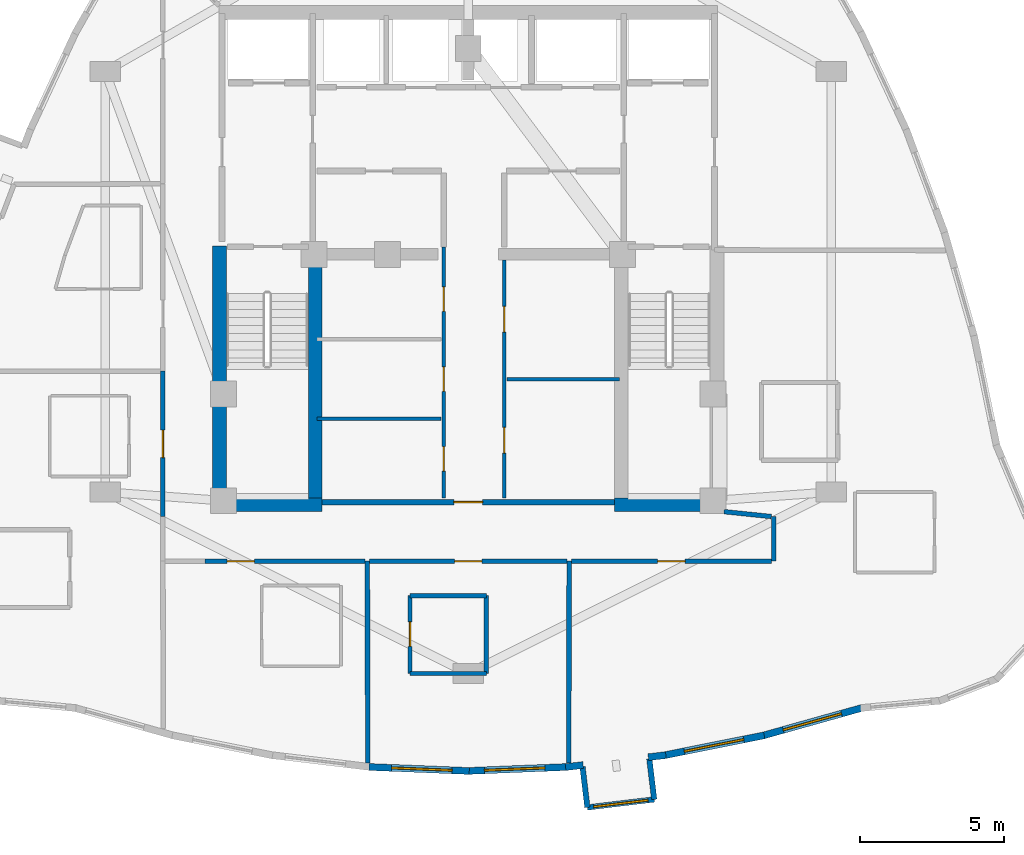
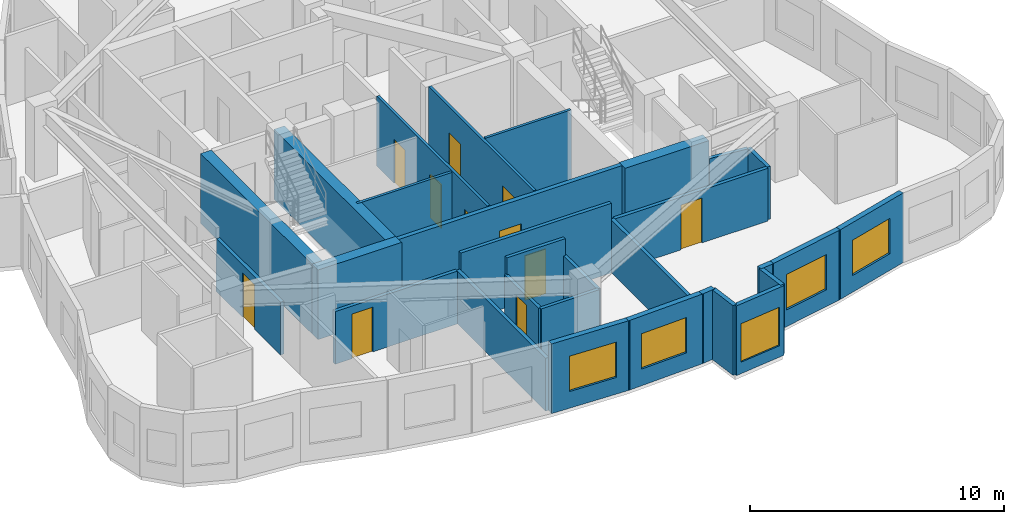
# One storey, part 4 of 9: 30 walls, 11 doors, 5 windows, 16 openings.
"""IFC4 building model written with IfcOpenShell, lengths in metres."""

from ifc_helpers import new_model, si_unit, direction, frame, frame_2d, origin, place, context, subcontext, project, spatial, rectangle, extrude, material, layer, layer_set, type_object, element, fill, save


model = new_model("IFC4")

# Units and contexts
model_context = context("Model", 3, precision=1e-05, world=origin(), true_north=direction((0.0, 1.0)))
body_context = subcontext(model_context, "Body", "Model", "MODEL_VIEW")
ifc_project = project(units=[si_unit("LENGTHUNIT", "METRE"), si_unit("AREAUNIT", "SQUARE_METRE"), si_unit("VOLUMEUNIT", "CUBIC_METRE"), si_unit("PLANEANGLEUNIT", "RADIAN"), si_unit("MASSUNIT", "GRAM", prefix="KILO")], contexts=[model_context])

# Site, building, storey
site_placement = place(None, origin())
site = spatial("IfcSite", under=ifc_project, at=site_placement, CompositionType="ELEMENT")
building_placement = place(site_placement, origin())
building = spatial("IfcBuilding", under=site, at=building_placement, Name="Miruveldt Soraemaru", CompositionType="ELEMENT")
storey_placement = place(building_placement, frame((0.0, 0.0, 241.199951171875)))
storey = spatial("IfcBuildingStorey", under=building, at=storey_placement, Name="L66", CompositionType="ELEMENT", Elevation=241.199951171875)

# Walls
ifc_material_1 = material(Name="White powder-coated aluminium EN AW-6060 T6", Category="aluminium")
ifc_layer_1 = layer(ifc_material_1, 0.18994140625, Name="White powder-coated aluminium EN AW-6060 T6", Category="aluminium")
ifc_layer_set_1 = layer_set([ifc_layer_1], Name="White powder-coated aluminium EN AW-6060 T6")
wall_type_1 = type_object("IfcWallType", Name="WALL-BAY-ALU190", PredefinedType="SOLIDWALL", material=ifc_layer_set_1)
for number, where, z_axis, x_axis, name in (
    (1, (47.965576171875, 26.26708984375, 0.0), (0.0, 0.0, 1.0), (0.119077659317, -0.992884943511, 0.0), "L66 Bay Window Side Cheek 2L"),
    (2, (50.455810546875, 25.130859375, 0.0), (0.0, 0.0, 1.0), (-0.119246559468, 0.992864672579, 0.0), "L66 Bay Window Side Cheek 2R"),
):
    element("IfcWall", number, at=place(storey_placement, frame(where, z_axis=z_axis, x_axis=x_axis)), inside=storey, type_object=wall_type_1, Name=name, PredefinedType="SOLIDWALL", context=body_context, shape_type="SweptSolid", body=[
        extrude(rectangle(XDim=1.425048828125, YDim=0.18994140625, at=frame_2d((0.71240234375, 0.0))), origin(), (0.0, 0.0, 1.0), 3.344970703125),
    ])

# Wall, opening, window
wall_1_placement = place(storey_placement, frame((48.13525390625, 24.852294921875, 0.0), z_axis=(0.0, 0.0, 1.0), x_axis=(0.992871894832, 0.119186410521, 0.0)))
wall_1 = element("IfcWall", 3, at=wall_1_placement, inside=storey, type_object=wall_type_1, Name="L66 Bay Window Front Frame 2", PredefinedType="SOLIDWALL", context=body_context, shape_type="SweptSolid", body=[
    extrude(rectangle(XDim=2.337158203125, YDim=0.18994140625, at=frame_2d((1.16845703125, 0.0))), origin(), (0.0, 0.0, 1.0), 3.344970703125),
])
opening_1_placement = place(wall_1_placement, frame((0.218994140625, 0.0, 0.550048828125)))
opening_1 = element("IfcOpeningElement", 4, at=opening_1_placement, cuts=wall_1, Name="Opening WN-6", PredefinedType="OPENING", context=body_context, shape_type="SweptSolid", body=[
    extrude(rectangle(XDim=1.89990234375, YDim=1.85009765625, at=frame_2d((0.949951171875, 0.925048828125))), frame((0.0, 0.10498046875, 0.0), z_axis=(0.0, -1.0, 0.0), x_axis=(1.0, 0.0, 0.0)), (0.0, 0.0, 1.0), 0.2099609375),
])
ifc_material_2 = material(Name="Triple low-e insulated glazing", Category="glass")
window_type_1 = type_object("IfcWindowType", Name="WIN-BAYW-1900x1850", PartitioningType="SINGLE_PANEL", PredefinedType="WINDOW", material=ifc_material_2)
window_1_placement = place(opening_1_placement, origin())
window_1 = element("IfcWindow", 5, at=window_1_placement, inside=storey, type_object=window_type_1, Name="L66 Projecting Bay Window 2", OverallHeight=1.85009765625, OverallWidth=1.89990234375, PartitioningType="SINGLE_PANEL", PredefinedType="WINDOW", context=body_context, shape_type="SweptSolid", body=[
    extrude(rectangle(XDim=1.89990234375, YDim=1.85009765625, at=frame_2d((0.949951171875, 0.925048828125))), frame((0.0, 0.030029296875, 0.0), z_axis=(0.0, -1.0, 0.0), x_axis=(1.0, 0.0, 0.0)), (0.0, 0.0, 1.0), 0.06005859375),
])
fill(opening_1, window_1)

# Walls
ifc_material_3 = material(Name="Concrete C60/75 (60 MPa)", Category="concrete")
ifc_layer_2 = layer(ifc_material_3, 0.47998046875, Name="Concrete C60/75 (60 MPa)", Category="concrete")
ifc_layer_set_2 = layer_set([ifc_layer_2], Name="Concrete C60/75 (60 MPa)")
wall_type_2 = type_object("IfcWallType", Name="WALL-CW-480", PredefinedType="SHEAR", material=ifc_layer_set_2)
for number, where, z_axis, x_axis, name in (
    (6, (35.1201171875, 35.360107421875, 0.0), (0.0, 0.0, 1.0), (1.0, 0.0, 0.0), "L66 Central Core Shear Wall S1"),
    (7, (49.070068359375, 35.360107421875, 0.0), (0.0, 0.0, 1.0), (1.0, 0.0, 0.0), "L66 Central Core Shear Wall S2"),
):
    element("IfcWall", number, at=place(storey_placement, frame(where, z_axis=z_axis, x_axis=x_axis)), inside=storey, type_object=wall_type_2, Name=name, PredefinedType="SHEAR", context=body_context, shape_type="SweptSolid", body=[
        extrude(rectangle(XDim=3.809814453125, YDim=0.47998046875, at=frame_2d((1.90478515625, 0.0))), origin(), (0.0, 0.0, 1.0), 3.344970703125),
    ])
wall_2_placement = place(storey_placement, frame((35.360107421875, 35.1201171875, 0.0), z_axis=(0.0, 0.0, 1.0), x_axis=(0.0, 1.0, 0.0)))
element("IfcWall", 8, at=wall_2_placement, inside=storey, type_object=wall_type_2, Name="L66 Central Core Shear Wall W1", PredefinedType="SHEAR", context=body_context, shape_type="SweptSolid", body=[
    extrude(rectangle(XDim=9.22998046875, YDim=0.47998046875, at=frame_2d((4.614990234375, 0.0))), origin(), (0.0, 0.0, 1.0), 3.344970703125),
])
wall_3_placement = place(storey_placement, frame((38.68994140625, 35.39990234375, 0.0), z_axis=(0.0, 0.0, 1.0), x_axis=(0.0, 1.0, 0.0)))
element("IfcWall", 9, at=wall_3_placement, inside=storey, type_object=wall_type_2, Name="L66 Central Core Shear Wall SW-INT", PredefinedType="SHEAR", context=body_context, shape_type="SweptSolid", body=[
    extrude(rectangle(XDim=8.9501953125, YDim=0.47998046875, at=frame_2d((4.47509765625, 0.0))), origin(), (0.0, 0.0, 1.0), 3.344970703125),
])

# Wall, opening, window
ifc_material_4 = material(Name="Precast concrete C45/55 (45 MPa)", Category="concrete")
ifc_layer_3 = layer(ifc_material_4, 0.239990234375, Name="Precast concrete C45/55 (45 MPa)", Category="concrete")
ifc_layer_set_3 = layer_set([ifc_layer_3], Name="Precast concrete C45/55 (45 MPa)")
wall_type_3 = type_object("IfcWallType", Name="WALL-EXT-PC240", PredefinedType="SOLIDWALL", material=ifc_layer_set_3)
wall_4_placement = place(storey_placement, frame((40.55224609375, 26.2578125, 0.0), z_axis=(0.0, 0.0, 1.0), x_axis=(0.999199839392, -0.039996011798, 0.0)))
wall_4 = element("IfcWall", 10, at=wall_4_placement, inside=storey, type_object=wall_type_3, Name="L66 Precast Concrete Facade Wall 24", PredefinedType="SOLIDWALL", context=body_context, shape_type="SweptSolid", body=[
    extrude(rectangle(XDim=3.4853515625, YDim=0.239990234375, at=frame_2d((1.74267578125, 0.0))), origin(), (0.0, 0.0, 1.0), 3.344970703125),
])
opening_2_placement = place(wall_4_placement, frame((0.787109375, 0.0, 0.800048828125)))
opening_2 = element("IfcOpeningElement", 11, at=opening_2_placement, cuts=wall_4, Name="Opening WN-1", PredefinedType="OPENING", context=body_context, shape_type="SweptSolid", body=[
    extrude(rectangle(XDim=2.10009765625, YDim=1.699951171875, at=frame_2d((1.050048828125, 0.85009765625))), frame((0.0, 0.1298828125, 0.0), z_axis=(0.0, -1.0, 0.0), x_axis=(1.0, 0.0, 0.0)), (0.0, 0.0, 1.0), 0.260009765625),
])
window_type_2 = type_object("IfcWindowType", Name="WIN-PUNCH-2100x1700", PartitioningType="SINGLE_PANEL", PredefinedType="WINDOW", material=ifc_material_2)
window_2_placement = place(opening_2_placement, origin())
window_2 = element("IfcWindow", 12, at=window_2_placement, inside=storey, type_object=window_type_2, Name="L66 Punched Triple-Glazed Window 24.1", OverallHeight=1.699951171875, OverallWidth=2.10009765625, PartitioningType="SINGLE_PANEL", PredefinedType="WINDOW", context=body_context, shape_type="SweptSolid", body=[
    extrude(rectangle(XDim=2.10009765625, YDim=1.699951171875, at=frame_2d((1.050048828125, 0.85009765625))), frame((0.0, 0.030029296875, 0.0), z_axis=(0.0, -1.0, 0.0), x_axis=(1.0, 0.0, 0.0)), (0.0, 0.0, 1.0), 0.06005859375),
])
fill(opening_2, window_2)

wall_5_placement = place(storey_placement, frame((43.965087890625, 26.118408203125, 0.0), z_axis=(0.0, 0.0, 1.0), x_axis=(0.999199839392, 0.039996011798, 0.0)))
wall_5 = element("IfcWall", 13, at=wall_5_placement, inside=storey, type_object=wall_type_3, Name="L66 Precast Concrete Facade Wall 25", PredefinedType="SOLIDWALL", context=body_context, shape_type="SweptSolid", body=[
    extrude(rectangle(XDim=3.4853515625, YDim=0.239990234375, at=frame_2d((1.74267578125, 0.0))), origin(), (0.0, 0.0, 1.0), 3.344970703125),
])
opening_3_placement = place(wall_5_placement, frame((0.59912109375, 0.0, 0.800048828125)))
opening_3 = element("IfcOpeningElement", 14, at=opening_3_placement, cuts=wall_5, Name="Opening WN-1", PredefinedType="OPENING", context=body_context, shape_type="SweptSolid", body=[
    extrude(rectangle(XDim=2.10009765625, YDim=1.699951171875, at=frame_2d((1.050048828125, 0.85009765625))), frame((0.0, 0.1298828125, 0.0), z_axis=(0.0, -1.0, 0.0), x_axis=(1.0, 0.0, 0.0)), (0.0, 0.0, 1.0), 0.260009765625),
])
window_3_placement = place(opening_3_placement, origin())
window_3 = element("IfcWindow", 15, at=window_3_placement, inside=storey, type_object=window_type_2, Name="L66 Punched Triple-Glazed Window 25.1", OverallHeight=1.699951171875, OverallWidth=2.10009765625, PartitioningType="SINGLE_PANEL", PredefinedType="WINDOW", context=body_context, shape_type="SweptSolid", body=[
    extrude(rectangle(XDim=2.10009765625, YDim=1.699951171875, at=frame_2d((1.050048828125, 0.85009765625))), frame((0.0, 0.030029296875, 0.0), z_axis=(0.0, -1.0, 0.0), x_axis=(1.0, 0.0, 0.0)), (0.0, 0.0, 1.0), 0.06005859375),
])
fill(opening_3, window_3)

# Walls
for number, where, z_axis, x_axis, name in (
    (16, (47.3779296875, 26.252197265625, 0.0), (0.0, 0.0, 1.0), (0.992888100735, 0.119051331023, 0.0), "L66 Precast Pier Wall 26A"),
    (17, (50.24951171875, 26.5966796875, 0.0), (0.0, 0.0, 1.0), (0.992888100735, 0.119051331023, 0.0), "L66 Precast Pier Wall 26B"),
):
    element("IfcWall", number, at=place(storey_placement, frame(where, z_axis=z_axis, x_axis=x_axis)), inside=storey, type_object=wall_type_3, Name=name, PredefinedType="SOLIDWALL", context=body_context, shape_type="SweptSolid", body=[
        extrude(rectangle(XDim=0.615234375, YDim=0.239990234375, at=frame_2d((0.3076171875, 0.0))), origin(), (0.0, 0.0, 1.0), 3.344970703125),
    ])

# Wall, opening, window
wall_6_placement = place(storey_placement, frame((50.791259765625, 26.658935546875, 0.0), z_axis=(0.0, 0.0, 1.0), x_axis=(0.980580675691, 0.196116135138, 0.0)))
wall_6 = element("IfcWall", 18, at=wall_6_placement, inside=storey, type_object=wall_type_3, Name="L66 Precast Concrete Facade Wall 27", PredefinedType="SOLIDWALL", context=body_context, shape_type="SweptSolid", body=[
    extrude(rectangle(XDim=3.55029296875, YDim=0.239990234375, at=frame_2d((1.775146484375, 0.0))), origin(), (0.0, 0.0, 1.0), 3.344970703125),
])
opening_4_placement = place(wall_6_placement, frame((0.72509765625, 0.0, 0.800048828125)))
opening_4 = element("IfcOpeningElement", 19, at=opening_4_placement, cuts=wall_6, Name="Opening WN-1", PredefinedType="OPENING", context=body_context, shape_type="SweptSolid", body=[
    extrude(rectangle(XDim=2.10009765625, YDim=1.699951171875, at=frame_2d((1.050048828125, 0.85009765625))), frame((0.0, 0.1298828125, 0.0), z_axis=(0.0, -1.0, 0.0), x_axis=(1.0, 0.0, 0.0)), (0.0, 0.0, 1.0), 0.260009765625),
])
window_4_placement = place(opening_4_placement, origin())
window_4 = element("IfcWindow", 20, at=window_4_placement, inside=storey, type_object=window_type_2, Name="L66 Punched Triple-Glazed Window 27.1", OverallHeight=1.699951171875, OverallWidth=2.10009765625, PartitioningType="SINGLE_PANEL", PredefinedType="WINDOW", context=body_context, shape_type="SweptSolid", body=[
    extrude(rectangle(XDim=2.10009765625, YDim=1.699951171875, at=frame_2d((1.050048828125, 0.85009765625))), frame((0.0, 0.030029296875, 0.0), z_axis=(0.0, -1.0, 0.0), x_axis=(1.0, 0.0, 0.0)), (0.0, 0.0, 1.0), 0.06005859375),
])
fill(opening_4, window_4)

wall_7_placement = place(storey_placement, frame((54.204833984375, 27.339111328125, 0.0), z_axis=(0.0, 0.0, 1.0), x_axis=(0.9629710353, 0.269604868599, 0.0)))
wall_7 = element("IfcWall", 21, at=wall_7_placement, inside=storey, type_object=wall_type_3, Name="L66 Precast Concrete Facade Wall 28", PredefinedType="SOLIDWALL", context=body_context, shape_type="SweptSolid", body=[
    extrude(rectangle(XDim=3.614013671875, YDim=0.239990234375, at=frame_2d((1.80712890625, 0.0))), origin(), (0.0, 0.0, 1.0), 3.344970703125),
])
opening_5_placement = place(wall_7_placement, frame((0.757080078125, 0.0, 0.800048828125)))
opening_5 = element("IfcOpeningElement", 22, at=opening_5_placement, cuts=wall_7, Name="Opening WN-1", PredefinedType="OPENING", context=body_context, shape_type="SweptSolid", body=[
    extrude(rectangle(XDim=2.10009765625, YDim=1.699951171875, at=frame_2d((1.050048828125, 0.85009765625))), frame((0.0, 0.1298828125, 0.0), z_axis=(0.0, -1.0, 0.0), x_axis=(1.0, 0.0, 0.0)), (0.0, 0.0, 1.0), 0.260009765625),
])
window_5_placement = place(opening_5_placement, origin())
window_5 = element("IfcWindow", 23, at=window_5_placement, inside=storey, type_object=window_type_2, Name="L66 Punched Triple-Glazed Window 28.1", OverallHeight=1.699951171875, OverallWidth=2.10009765625, PartitioningType="SINGLE_PANEL", PredefinedType="WINDOW", context=body_context, shape_type="SweptSolid", body=[
    extrude(rectangle(XDim=2.10009765625, YDim=1.699951171875, at=frame_2d((1.050048828125, 0.85009765625))), frame((0.0, 0.030029296875, 0.0), z_axis=(0.0, -1.0, 0.0), x_axis=(1.0, 0.0, 0.0)), (0.0, 0.0, 1.0), 0.06005859375),
])
fill(opening_5, window_5)

# Wall, openings, doors
ifc_material_5 = material(Name="Gypsum plasterboard lining", Category="gypsum")
ifc_layer_4 = layer(ifc_material_5, 0.1201171875, Name="Gypsum plasterboard lining", Category="gypsum")
ifc_layer_set_4 = layer_set([ifc_layer_4], Name="Gypsum plasterboard lining")
wall_type_4 = type_object("IfcWallType", Name="WALL-INT-P120", PredefinedType="PARTITIONING", material=ifc_layer_set_4)
wall_8_placement = place(storey_placement, frame((43.14990234375, 35.60009765625, 0.0), z_axis=(0.0, 0.0, 1.0), x_axis=(0.0, 1.0, 0.0)))
wall_8 = element("IfcWall", 24, at=wall_8_placement, inside=storey, type_object=wall_type_4, Name="L66 Core Compartment Wall SP-WL", PredefinedType="PARTITIONING", context=body_context, shape_type="SweptSolid", body=[
    extrude(rectangle(XDim=8.699951171875, YDim=0.1201171875, at=frame_2d((4.35009765625, 0.0))), origin(), (0.0, 0.0, 1.0), 3.344970703125),
])
opening_6_placement = place(wall_8_placement, frame((0.925048828125, 0.0, 0.0)))
opening_6 = element("IfcOpeningElement", 25, at=opening_6_placement, cuts=wall_8, Name="Opening FD3", PredefinedType="OPENING", context=body_context, shape_type="SweptSolid", body=[
    extrude(rectangle(XDim=0.85009765625, YDim=2.10009765625, at=frame_2d((0.425048828125, 1.050048828125))), frame((0.0, 0.070068359375, 0.0), z_axis=(0.0, -1.0, 0.0), x_axis=(1.0, 0.0, 0.0)), (0.0, 0.0, 1.0), 0.14013671875),
])
opening_7_placement = place(wall_8_placement, frame((3.695068359375, 0.0, 0.0)))
opening_7 = element("IfcOpeningElement", 26, at=opening_7_placement, cuts=wall_8, Name="Opening FD3", PredefinedType="OPENING", context=body_context, shape_type="SweptSolid", body=[
    extrude(rectangle(XDim=0.85009765625, YDim=2.10009765625, at=frame_2d((0.425048828125, 1.050048828125))), frame((0.0, 0.070068359375, 0.0), z_axis=(0.0, -1.0, 0.0), x_axis=(1.0, 0.0, 0.0)), (0.0, 0.0, 1.0), 0.14013671875),
])
opening_8_placement = place(wall_8_placement, frame((6.47509765625, 0.0, 0.0)))
opening_8 = element("IfcOpeningElement", 27, at=opening_8_placement, cuts=wall_8, Name="Opening FD3", PredefinedType="OPENING", context=body_context, shape_type="SweptSolid", body=[
    extrude(rectangle(XDim=0.85009765625, YDim=2.10009765625, at=frame_2d((0.425048828125, 1.050048828125))), frame((0.0, 0.070068359375, 0.0), z_axis=(0.0, -1.0, 0.0), x_axis=(1.0, 0.0, 0.0)), (0.0, 0.0, 1.0), 0.14013671875),
])
ifc_material_6 = material(Name="Anodised aluminium EN AW-6063 T6", Category="aluminium")
door_type_1 = type_object("IfcDoorType", Name="DOOR-FD3-850", OperationType="NOTDEFINED", PredefinedType="DOOR", material=ifc_material_6)
door_1_placement = place(opening_6_placement, origin())
door_1 = element("IfcDoor", 28, at=door_1_placement, inside=storey, type_object=door_type_1, Name="L66 Fire Door", OperationType="SINGLE_SWING_LEFT", OverallHeight=2.10009765625, OverallWidth=0.85009765625, PredefinedType="DOOR", context=body_context, shape_type="SweptSolid", body=[
    extrude(rectangle(XDim=0.85009765625, YDim=2.10009765625, at=frame_2d((0.425048828125, 1.050048828125))), frame((0.0, 0.02490234375, 0.0), z_axis=(0.0, -1.0, 0.0), x_axis=(1.0, 0.0, 0.0)), (0.0, 0.0, 1.0), 0.050048828125),
])
fill(opening_6, door_1)
door_2_placement = place(opening_7_placement, origin())
door_2 = element("IfcDoor", 29, at=door_2_placement, inside=storey, type_object=door_type_1, Name="L66 Fire Door", OperationType="SINGLE_SWING_LEFT", OverallHeight=2.10009765625, OverallWidth=0.85009765625, PredefinedType="DOOR", context=body_context, shape_type="SweptSolid", body=[
    extrude(rectangle(XDim=0.85009765625, YDim=2.10009765625, at=frame_2d((0.425048828125, 1.050048828125))), frame((0.0, 0.02490234375, 0.0), z_axis=(0.0, -1.0, 0.0), x_axis=(1.0, 0.0, 0.0)), (0.0, 0.0, 1.0), 0.050048828125),
])
fill(opening_7, door_2)
door_3_placement = place(opening_8_placement, origin())
door_3 = element("IfcDoor", 30, at=door_3_placement, inside=storey, type_object=door_type_1, Name="L66 Fire Door", OperationType="SINGLE_SWING_LEFT", OverallHeight=2.10009765625, OverallWidth=0.85009765625, PredefinedType="DOOR", context=body_context, shape_type="SweptSolid", body=[
    extrude(rectangle(XDim=0.85009765625, YDim=2.10009765625, at=frame_2d((0.425048828125, 1.050048828125))), frame((0.0, 0.02490234375, 0.0), z_axis=(0.0, -1.0, 0.0), x_axis=(1.0, 0.0, 0.0)), (0.0, 0.0, 1.0), 0.050048828125),
])
fill(opening_8, door_3)

wall_9_placement = place(storey_placement, frame((45.25, 35.60009765625, 0.0), z_axis=(0.0, 0.0, 1.0), x_axis=(0.0, 1.0, 0.0)))
wall_9 = element("IfcWall", 31, at=wall_9_placement, inside=storey, type_object=wall_type_4, Name="L66 Core Compartment Wall SP-EL", PredefinedType="PARTITIONING", context=body_context, shape_type="SweptSolid", body=[
    extrude(rectangle(XDim=8.25, YDim=0.1201171875, at=frame_2d((4.125, 0.0))), origin(), (0.0, 0.0, 1.0), 3.344970703125),
])
opening_9_placement = place(wall_9_placement, frame((1.550048828125, 0.0, 0.0)))
opening_9 = element("IfcOpeningElement", 32, at=opening_9_placement, cuts=wall_9, Name="Opening D3", PredefinedType="OPENING", context=body_context, shape_type="SweptSolid", body=[
    extrude(rectangle(XDim=0.89990234375, YDim=2.10009765625, at=frame_2d((0.449951171875, 1.050048828125))), frame((0.0, 0.070068359375, 0.0), z_axis=(0.0, -1.0, 0.0), x_axis=(1.0, 0.0, 0.0)), (0.0, 0.0, 1.0), 0.14013671875),
])
opening_10_placement = place(wall_9_placement, frame((5.75, 0.0, 0.0)))
opening_10 = element("IfcOpeningElement", 33, at=opening_10_placement, cuts=wall_9, Name="Opening D3", PredefinedType="OPENING", context=body_context, shape_type="SweptSolid", body=[
    extrude(rectangle(XDim=0.89990234375, YDim=2.10009765625, at=frame_2d((0.449951171875, 1.050048828125))), frame((0.0, 0.070068359375, 0.0), z_axis=(0.0, -1.0, 0.0), x_axis=(1.0, 0.0, 0.0)), (0.0, 0.0, 1.0), 0.14013671875),
])
door_type_2 = type_object("IfcDoorType", Name="DOOR-INT-900", OperationType="NOTDEFINED", PredefinedType="DOOR", material=ifc_material_6)
door_4_placement = place(opening_9_placement, origin())
door_4 = element("IfcDoor", 34, at=door_4_placement, inside=storey, type_object=door_type_2, Name="L66 Fire Door", OperationType="SINGLE_SWING_LEFT", OverallHeight=2.10009765625, OverallWidth=0.89990234375, PredefinedType="DOOR", context=body_context, shape_type="SweptSolid", body=[
    extrude(rectangle(XDim=0.89990234375, YDim=2.10009765625, at=frame_2d((0.449951171875, 1.050048828125))), frame((0.0, 0.02490234375, 0.0), z_axis=(0.0, -1.0, 0.0), x_axis=(1.0, 0.0, 0.0)), (0.0, 0.0, 1.0), 0.050048828125),
])
fill(opening_9, door_4)
door_5_placement = place(opening_10_placement, origin())
door_5 = element("IfcDoor", 35, at=door_5_placement, inside=storey, type_object=door_type_2, Name="L66 Fire Door", OperationType="SINGLE_SWING_LEFT", OverallHeight=2.10009765625, OverallWidth=0.89990234375, PredefinedType="DOOR", context=body_context, shape_type="SweptSolid", body=[
    extrude(rectangle(XDim=0.89990234375, YDim=2.10009765625, at=frame_2d((0.449951171875, 1.050048828125))), frame((0.0, 0.02490234375, 0.0), z_axis=(0.0, -1.0, 0.0), x_axis=(1.0, 0.0, 0.0)), (0.0, 0.0, 1.0), 0.050048828125),
])
fill(opening_10, door_5)

# Walls
wall_10_placement = place(storey_placement, frame((38.75, 38.35009765625, 0.0), z_axis=(0.0, 0.0, 1.0), x_axis=(1.0, 0.0, 0.0)))
element("IfcWall", 36, at=wall_10_placement, inside=storey, type_object=wall_type_4, Name="L66 Core Compartment Wall RL-W3A", PredefinedType="PARTITIONING", context=body_context, shape_type="SweptSolid", body=[
    extrude(rectangle(XDim=4.300048828125, YDim=0.1201171875, at=frame_2d((2.14990234375, 0.0))), origin(), (0.0, 0.0, 1.0), 3.344970703125),
])
wall_11_placement = place(storey_placement, frame((45.35009765625, 39.719970703125, 0.0), z_axis=(0.0, 0.0, 1.0), x_axis=(1.0, 0.0, 0.0)))
element("IfcWall", 37, at=wall_11_placement, inside=storey, type_object=wall_type_4, Name="L66 Core Compartment Wall RL-E3H", PredefinedType="PARTITIONING", context=body_context, shape_type="SweptSolid", body=[
    extrude(rectangle(XDim=3.89990234375, YDim=0.1201171875, at=frame_2d((1.949951171875, 0.0))), origin(), (0.0, 0.0, 1.0), 3.344970703125),
])

# Wall, opening, door
ifc_layer_5 = layer(ifc_material_5, 0.14990234375, Name="Gypsum plasterboard lining", Category="gypsum")
ifc_layer_set_5 = layer_set([ifc_layer_5], Name="Gypsum plasterboard lining")
wall_type_5 = type_object("IfcWallType", Name="WALL-INT-PLUMB", PredefinedType="PLUMBINGWALL", material=ifc_layer_set_5)
wall_12_placement = place(storey_placement, frame((41.97998046875, 32.201904296875, 0.0), z_axis=(0.0, 0.0, 1.0), x_axis=(0.0, -1.0, 0.0)))
wall_12 = element("IfcWall", 38, at=wall_12_placement, inside=storey, type_object=wall_type_5, Name="L66 Partition Wall 46", PredefinedType="PLUMBINGWALL", context=body_context, shape_type="SweptSolid", body=[
    extrude(rectangle(XDim=2.699951171875, YDim=0.14990234375, at=frame_2d((1.35009765625, 0.0))), origin(), (0.0, 0.0, 1.0), 2.532958984375),
])
opening_11_placement = place(wall_12_placement, frame((0.909912109375, 0.0, 0.0)))
opening_11 = element("IfcOpeningElement", 39, at=opening_11_placement, cuts=wall_12, Name="Opening FD3", PredefinedType="OPENING", context=body_context, shape_type="SweptSolid", body=[
    extrude(rectangle(XDim=0.85009765625, YDim=2.10009765625, at=frame_2d((0.425048828125, 1.050048828125))), frame((0.0, 0.0849609375, 0.0), z_axis=(0.0, -1.0, 0.0), x_axis=(1.0, 0.0, 0.0)), (0.0, 0.0, 1.0), 0.169921875),
])
door_6_placement = place(opening_11_placement, origin())
door_6 = element("IfcDoor", 40, at=door_6_placement, inside=storey, type_object=door_type_1, Name="L66 Unit CL06 BTH Door", OperationType="SINGLE_SWING_RIGHT", OverallHeight=2.10009765625, OverallWidth=0.85009765625, PredefinedType="DOOR", context=body_context, shape_type="SweptSolid", body=[
    extrude(rectangle(XDim=0.85009765625, YDim=2.10009765625, at=frame_2d((0.425048828125, 1.050048828125))), frame((0.0, 0.02490234375, 0.0), z_axis=(0.0, -1.0, 0.0), x_axis=(1.0, 0.0, 0.0)), (0.0, 0.0, 1.0), 0.050048828125),
])
fill(opening_11, door_6)

# Walls
wall_13_placement = place(storey_placement, frame((44.6298828125, 29.501953125, 0.0), z_axis=(0.0, 0.0, 1.0), x_axis=(0.0, 1.0, 0.0)))
element("IfcWall", 41, at=wall_13_placement, inside=storey, type_object=wall_type_5, Name="L66 Partition Wall 44", PredefinedType="PLUMBINGWALL", context=body_context, shape_type="SweptSolid", body=[
    extrude(rectangle(XDim=2.699951171875, YDim=0.14990234375, at=frame_2d((1.35009765625, 0.0))), origin(), (0.0, 0.0, 1.0), 2.532958984375),
])
wall_14_placement = place(storey_placement, frame((44.6298828125, 32.201904296875, 0.0), z_axis=(0.0, 0.0, 1.0), x_axis=(-1.0, 0.0, 0.0)))
element("IfcWall", 42, at=wall_14_placement, inside=storey, type_object=wall_type_5, Name="L66 Partition Wall 45", PredefinedType="PLUMBINGWALL", context=body_context, shape_type="SweptSolid", body=[
    extrude(rectangle(XDim=2.64990234375, YDim=0.14990234375, at=frame_2d((1.324951171875, 0.0))), origin(), (0.0, 0.0, 1.0), 3.344970703125),
])
wall_15_placement = place(storey_placement, frame((41.97998046875, 29.501953125, 0.0), z_axis=(0.0, 0.0, 1.0), x_axis=(1.0, 0.0, 0.0)))
element("IfcWall", 43, at=wall_15_placement, inside=storey, type_object=wall_type_5, Name="L66 Partition Wall 47", PredefinedType="PLUMBINGWALL", context=body_context, shape_type="SweptSolid", body=[
    extrude(rectangle(XDim=2.64990234375, YDim=0.14990234375, at=frame_2d((1.324951171875, 0.0))), origin(), (0.0, 0.0, 1.0), 2.532958984375),
])

# Wall, opening, door
ifc_material_7 = material(Name="Concrete C40/50 (40 MPa)", Category="concrete")
ifc_layer_6 = layer(ifc_material_7, 0.159912109375, Name="Concrete C40/50 (40 MPa)", Category="concrete")
ifc_layer_set_6 = layer_set([ifc_layer_6], Name="Concrete C40/50 (40 MPa)")
wall_type_6 = type_object("IfcWallType", Name="WALL-INT-RC160", PredefinedType="SOLIDWALL", material=ifc_layer_set_6)
wall_16_placement = place(storey_placement, frame((47.580078125, 33.39990234375, 0.0), z_axis=(0.0, 0.0, 1.0), x_axis=(1.0, 0.0, 0.0)))
wall_16 = element("IfcWall", 44, at=wall_16_placement, inside=storey, type_object=wall_type_6, Name="L66 Partition Wall 10", PredefinedType="SOLIDWALL", context=body_context, shape_type="SweptSolid", body=[
    extrude(rectangle(XDim=6.93994140625, YDim=0.159912109375, at=frame_2d((3.469970703125, 0.0))), origin(), (0.0, 0.0, 1.0), 2.532958984375),
])
opening_12_placement = place(wall_16_placement, frame((2.9951171875, 0.0, 0.0)))
opening_12 = element("IfcOpeningElement", 45, at=opening_12_placement, cuts=wall_16, Name="Opening FD2", PredefinedType="OPENING", context=body_context, shape_type="SweptSolid", body=[
    extrude(rectangle(XDim=0.949951171875, YDim=2.14990234375, at=frame_2d((0.47509765625, 1.074951171875))), frame((0.0, 0.08984375, 0.0), z_axis=(0.0, -1.0, 0.0), x_axis=(1.0, 0.0, 0.0)), (0.0, 0.0, 1.0), 0.179931640625),
])
door_type_3 = type_object("IfcDoorType", Name="DOOR-FD2-950", OperationType="NOTDEFINED", PredefinedType="DOOR", material=ifc_material_6)
door_7_placement = place(opening_12_placement, origin())
door_7 = element("IfcDoor", 46, at=door_7_placement, inside=storey, type_object=door_type_3, Name="L66 Unit CL07 Entrance Fire Door", OperationType="SINGLE_SWING_LEFT", OverallHeight=2.14990234375, OverallWidth=0.949951171875, PredefinedType="DOOR", context=body_context, shape_type="SweptSolid", body=[
    extrude(rectangle(XDim=0.949951171875, YDim=2.14990234375, at=frame_2d((0.47509765625, 1.074951171875))), frame((0.0, 0.02490234375, 0.0), z_axis=(0.0, -1.0, 0.0), x_axis=(1.0, 0.0, 0.0)), (0.0, 0.0, 1.0), 0.050048828125),
])
fill(opening_12, door_7)

wall_17_placement = place(storey_placement, frame((40.580078125, 33.39990234375, 0.0), z_axis=(0.0, 0.0, 1.0), x_axis=(1.0, 0.0, 0.0)))
wall_17 = element("IfcWall", 47, at=wall_17_placement, inside=storey, type_object=wall_type_6, Name="L66 Partition Wall 9", PredefinedType="SOLIDWALL", context=body_context, shape_type="SweptSolid", body=[
    extrude(rectangle(XDim=6.83984375, YDim=0.159912109375, at=frame_2d((3.419921875, 0.0))), origin(), (0.0, 0.0, 1.0), 3.344970703125),
])
opening_13_placement = place(wall_17_placement, frame((2.945068359375, 0.0, 0.0)))
opening_13 = element("IfcOpeningElement", 48, at=opening_13_placement, cuts=wall_17, Name="Opening FD2", PredefinedType="OPENING", context=body_context, shape_type="SweptSolid", body=[
    extrude(rectangle(XDim=0.949951171875, YDim=2.14990234375, at=frame_2d((0.47509765625, 1.074951171875))), frame((0.0, 0.08984375, 0.0), z_axis=(0.0, -1.0, 0.0), x_axis=(1.0, 0.0, 0.0)), (0.0, 0.0, 1.0), 0.179931640625),
])
door_8_placement = place(opening_13_placement, origin())
door_8 = element("IfcDoor", 49, at=door_8_placement, inside=storey, type_object=door_type_3, Name="L66 Unit CL06 Entrance Fire Door", OperationType="SINGLE_SWING_LEFT", OverallHeight=2.14990234375, OverallWidth=0.949951171875, PredefinedType="DOOR", context=body_context, shape_type="SweptSolid", body=[
    extrude(rectangle(XDim=0.949951171875, YDim=2.14990234375, at=frame_2d((0.47509765625, 1.074951171875))), frame((0.0, 0.02490234375, 0.0), z_axis=(0.0, -1.0, 0.0), x_axis=(1.0, 0.0, 0.0)), (0.0, 0.0, 1.0), 0.050048828125),
])
fill(opening_13, door_8)

wall_18_placement = place(storey_placement, frame((34.8701171875, 33.39990234375, 0.0), z_axis=(0.0, 0.0, 1.0), x_axis=(1.0, 0.0, 0.0)))
wall_18 = element("IfcWall", 50, at=wall_18_placement, inside=storey, type_object=wall_type_6, Name="L66 Partition Wall 8", PredefinedType="SOLIDWALL", context=body_context, shape_type="SweptSolid", body=[
    extrude(rectangle(XDim=5.5498046875, YDim=0.159912109375, at=frame_2d((2.77490234375, 0.0))), origin(), (0.0, 0.0, 1.0), 2.532958984375),
])
opening_14_placement = place(wall_18_placement, frame((0.760009765625, 0.0, 0.0)))
opening_14 = element("IfcOpeningElement", 51, at=opening_14_placement, cuts=wall_18, Name="Opening FD2", PredefinedType="OPENING", context=body_context, shape_type="SweptSolid", body=[
    extrude(rectangle(XDim=0.949951171875, YDim=2.14990234375, at=frame_2d((0.47509765625, 1.074951171875))), frame((0.0, 0.08984375, 0.0), z_axis=(0.0, -1.0, 0.0), x_axis=(1.0, 0.0, 0.0)), (0.0, 0.0, 1.0), 0.179931640625),
])
door_9_placement = place(opening_14_placement, origin())
door_9 = element("IfcDoor", 52, at=door_9_placement, inside=storey, type_object=door_type_3, Name="L66 Unit CL05 Entrance Fire Door", OperationType="SINGLE_SWING_LEFT", OverallHeight=2.14990234375, OverallWidth=0.949951171875, PredefinedType="DOOR", context=body_context, shape_type="SweptSolid", body=[
    extrude(rectangle(XDim=0.949951171875, YDim=2.14990234375, at=frame_2d((0.47509765625, 1.074951171875))), frame((0.0, 0.02490234375, 0.0), z_axis=(0.0, -1.0, 0.0), x_axis=(1.0, 0.0, 0.0)), (0.0, 0.0, 1.0), 0.050048828125),
])
fill(opening_14, door_9)

wall_19_placement = place(storey_placement, frame((33.39990234375, 39.9970703125, 0.0), z_axis=(0.0, 0.0, 1.0), x_axis=(0.0, -1.0, 0.0)))
wall_19 = element("IfcWall", 53, at=wall_19_placement, inside=storey, type_object=wall_type_6, Name="L66 Partition Wall 5", PredefinedType="SOLIDWALL", context=body_context, shape_type="SweptSolid", body=[
    extrude(rectangle(XDim=5.047119140625, YDim=0.159912109375, at=frame_2d((2.5234375, 0.0))), origin(), (0.0, 0.0, 1.0), 2.532958984375),
])
opening_15_placement = place(wall_19_placement, frame((2.048095703125, 0.0, 0.0)))
opening_15 = element("IfcOpeningElement", 54, at=opening_15_placement, cuts=wall_19, Name="Opening FD2", PredefinedType="OPENING", context=body_context, shape_type="SweptSolid", body=[
    extrude(rectangle(XDim=0.949951171875, YDim=2.14990234375, at=frame_2d((0.47509765625, 1.074951171875))), frame((0.0, 0.08984375, 0.0), z_axis=(0.0, -1.0, 0.0), x_axis=(1.0, 0.0, 0.0)), (0.0, 0.0, 1.0), 0.179931640625),
])
door_10_placement = place(opening_15_placement, origin())
door_10 = element("IfcDoor", 55, at=door_10_placement, inside=storey, type_object=door_type_3, Name="L66 Unit 6604 Entrance Fire Door", OperationType="SINGLE_SWING_RIGHT", OverallHeight=2.14990234375, OverallWidth=0.949951171875, PredefinedType="DOOR", context=body_context, shape_type="SweptSolid", body=[
    extrude(rectangle(XDim=0.949951171875, YDim=2.14990234375, at=frame_2d((0.47509765625, 1.074951171875))), frame((0.0, 0.02490234375, 0.0), z_axis=(0.0, -1.0, 0.0), x_axis=(1.0, 0.0, 0.0)), (0.0, 0.0, 1.0), 0.050048828125),
])
fill(opening_15, door_10)

# Walls
for number, where, z_axis, x_axis, name in (
    (56, (40.507080078125, 26.402099609375, 0.0), (0.0, 0.0, 1.0), (-0.0010117568, 0.999999488174, 0.0), "L66 Partition Wall 43"),
    (57, (47.492919921875, 26.402099609375, 0.0), (0.0, 0.0, 1.0), (0.0010117568, 0.999999488174, 0.0), "L66 Partition Wall 48"),
):
    element("IfcWall", number, at=place(storey_placement, frame(where, z_axis=z_axis, x_axis=x_axis)), inside=storey, type_object=wall_type_6, Name=name, PredefinedType="SOLIDWALL", context=body_context, shape_type="SweptSolid", body=[
        extrude(rectangle(XDim=6.997802734375, YDim=0.159912109375, at=frame_2d((3.4990234375, 0.0))), origin(), (0.0, 0.0, 1.0), 2.532958984375),
    ])
wall_20_placement = place(storey_placement, frame((54.52001953125, 34.949951171875, 0.0), z_axis=(0.0, 0.0, 1.0), x_axis=(-0.994660918051, 0.103197180691, 0.0)))
element("IfcWall", 58, at=wall_20_placement, inside=storey, type_object=wall_type_6, Name="L66 Partition Wall 12", PredefinedType="SOLIDWALL", context=body_context, shape_type="SweptSolid", body=[
    extrude(rectangle(XDim=1.64892578125, YDim=0.159912109375, at=frame_2d((0.824462890625, 0.0))), origin(), (0.0, 0.0, 1.0), 2.532958984375),
])
wall_21_placement = place(storey_placement, frame((54.60009765625, 33.39990234375, 0.0), z_axis=(0.0, 0.0, 1.0), x_axis=(0.0, 1.0, 0.0)))
element("IfcWall", 59, at=wall_21_placement, inside=storey, type_object=wall_type_6, Name="L66 Partition Wall 11", PredefinedType="SOLIDWALL", context=body_context, shape_type="SweptSolid", body=[
    extrude(rectangle(XDim=1.550048828125, YDim=0.159912109375, at=frame_2d((0.77490234375, 0.0))), origin(), (0.0, 0.0, 1.0), 2.532958984375),
])

# Wall, opening, door
ifc_layer_7 = layer(ifc_material_7, 0.199951171875, Name="Concrete C40/50 (40 MPa)", Category="concrete")
ifc_layer_set_7 = layer_set([ifc_layer_7], Name="Concrete C40/50 (40 MPa)")
wall_type_7 = type_object("IfcWallType", Name="WALL-INT-RC200", PredefinedType="SOLIDWALL", material=ifc_layer_set_7)
wall_22_placement = place(storey_placement, frame((38.89990234375, 35.449951171875, 0.0), z_axis=(0.0, 0.0, 1.0), x_axis=(1.0, 0.0, 0.0)))
wall_22 = element("IfcWall", 60, at=wall_22_placement, inside=storey, type_object=wall_type_7, Name="L66 Core Compartment Wall CS-S", PredefinedType="SOLIDWALL", context=body_context, shape_type="SweptSolid", body=[
    extrude(rectangle(XDim=10.2001953125, YDim=0.199951171875, at=frame_2d((5.10009765625, 0.0))), origin(), (0.0, 0.0, 1.0), 3.344970703125),
])
opening_16_placement = place(wall_22_placement, frame((4.60009765625, 0.0, 0.0)))
opening_16 = element("IfcOpeningElement", 61, at=opening_16_placement, cuts=wall_22, Name="Opening FD1", PredefinedType="OPENING", context=body_context, shape_type="SweptSolid", body=[
    extrude(rectangle(XDim=1.0, YDim=2.14990234375, at=frame_2d((0.5, 1.074951171875))), frame((0.0, 0.10986328125, 0.0), z_axis=(0.0, -1.0, 0.0), x_axis=(1.0, 0.0, 0.0)), (0.0, 0.0, 1.0), 0.219970703125),
])
door_type_4 = type_object("IfcDoorType", Name="DOOR-FD1-1000", OperationType="NOTDEFINED", PredefinedType="DOOR", material=ifc_material_6)
door_11_placement = place(opening_16_placement, origin())
door_11 = element("IfcDoor", 62, at=door_11_placement, inside=storey, type_object=door_type_4, Name="L66 Core South Lobby Fire Door", OperationType="SINGLE_SWING_LEFT", OverallHeight=2.14990234375, OverallWidth=1.0, PredefinedType="DOOR", context=body_context, shape_type="SweptSolid", body=[
    extrude(rectangle(XDim=1.0, YDim=2.14990234375, at=frame_2d((0.5, 1.074951171875))), frame((0.0, 0.02490234375, 0.0), z_axis=(0.0, -1.0, 0.0), x_axis=(1.0, 0.0, 0.0)), (0.0, 0.0, 1.0), 0.050048828125),
])
fill(opening_16, door_11)

save(model, "model.ifc")
